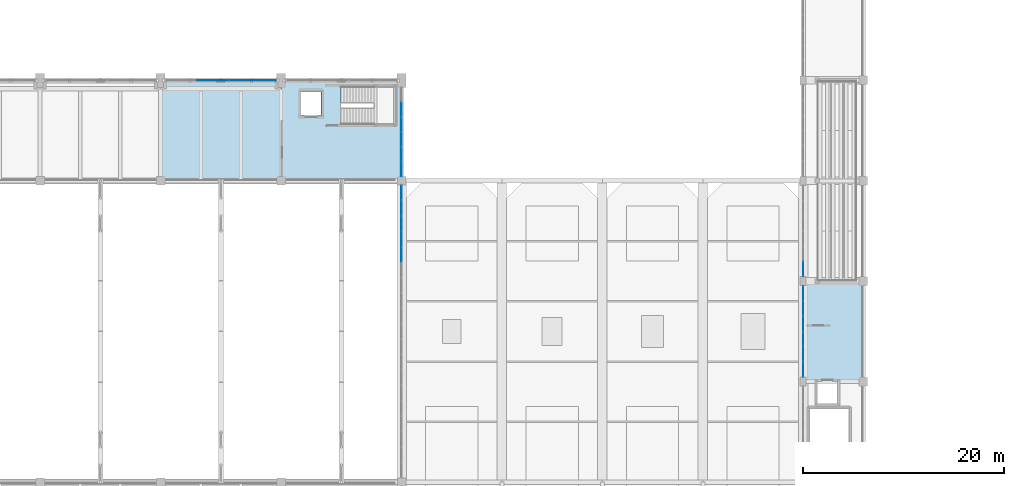
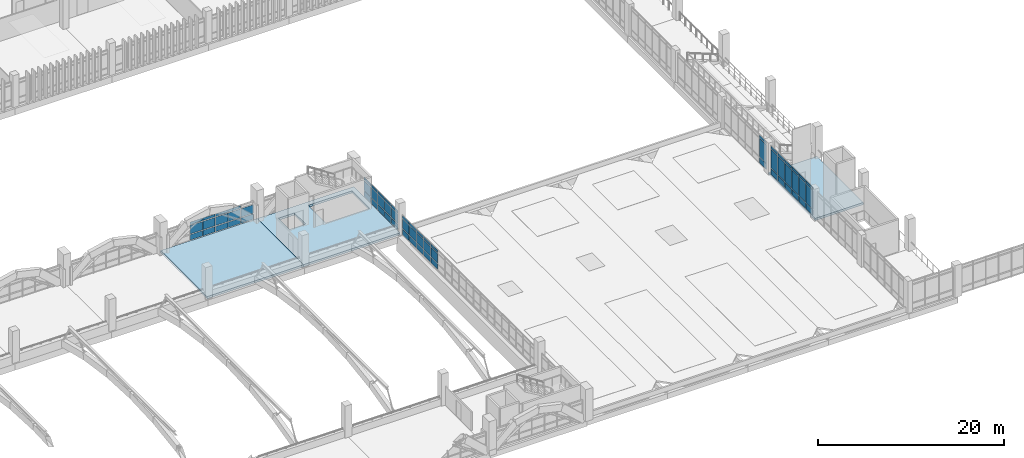
# One storey, part 128 of 161: 65 plates, 3 slabs, 5 elements without a shape of their own.
"""IFC4 building model written with IfcOpenShell, lengths in metres."""

from ifc_helpers import new_model, si_unit, direction, frame, origin, origin_2d, place, context, subcontext, project, spatial, polyline, rectangle, outline, extrude, material, layer, layer_set, type_object, element, aggregate, save


model = new_model("IFC4")

# Units and contexts
model_context = context("Model", 3, precision=1e-05, world=origin(), true_north=direction((0.0, 1.0)))
body_context = subcontext(model_context, "Body", "Model", "MODEL_VIEW")
ifc_project = project(units=[si_unit("LENGTHUNIT", "METRE"), si_unit("AREAUNIT", "SQUARE_METRE"), si_unit("VOLUMEUNIT", "CUBIC_METRE"), si_unit("PLANEANGLEUNIT", "RADIAN"), si_unit("MASSUNIT", "GRAM", prefix="KILO")], contexts=[model_context])

# Site, building, storey
site_placement = place(None, origin())
site = spatial("IfcSite", under=ifc_project, at=site_placement, CompositionType="ELEMENT")
building_placement = place(site_placement, origin())
building = spatial("IfcBuilding", under=site, at=building_placement, Name="Mersad Railyard Sports Hall", CompositionType="ELEMENT")
storey_placement = place(building_placement, frame((0.0, 0.0, 4.800048828125)))
storey = spatial("IfcBuildingStorey", under=building, at=storey_placement, Name="L01", CompositionType="ELEMENT", Elevation=4.800048828125)

# Curtain wall, plates
ifc_material_1 = material(Name="Aluminium 6063-T6", Category="aluminium")
ifc_layer_1 = layer(ifc_material_1, 0.199951171875)
ifc_layer_set_1 = layer_set([ifc_layer_1], Name="Aluminium 6063-T6")
curtain_wall_type_1 = type_object("IfcCurtainWallType", Name="ARC-CW-CW02", PredefinedType="USERDEFINED", material=ifc_layer_set_1)
curtain_wall_1_placement = place(storey_placement, origin())
curtain_wall_1 = element("IfcCurtainWall", 1, at=curtain_wall_1_placement, inside=storey, type_object=curtain_wall_type_1, Name="Curtain wall CW02-0018", ObjectType="CURTAIN WALL", PredefinedType="USERDEFINED")
ifc_material_2 = material(Name="Solar-control glass", Category="glass")
ifc_layer_2 = layer(ifc_material_2, 0.028076171875)
ifc_layer_set_2 = layer_set([ifc_layer_2], Name="Solar-control glass")
plate_type = type_object("IfcPlateType", Name="ARC-CW-PNL01", PredefinedType="CURTAIN_PANEL", material=ifc_layer_set_2)
plate_1_placement = place(storey_placement, frame((71.419921875, 53.5, 0.0849609375), z_axis=(0.0, 0.0, 1.0), x_axis=(1.0, 0.0, 0.0)))
plate_1 = element("IfcPlate", 2, at=plate_1_placement, type_object=plate_type, Name="CW02 Glazed panel 3-1", PredefinedType="CURTAIN_PANEL", context=body_context, shape_type="SweptSolid", body=[
    extrude(rectangle(XDim=1.535888671875, YDim=0.028076171875, at=origin_2d()), origin(), (0.0, 0.0, 1.0), 0.719970703125),
])
plate_2_placement = place(storey_placement, frame((71.419921875, 53.5, 0.89501953125), z_axis=(0.0, 0.0, 1.0), x_axis=(1.0, 0.0, 0.0)))
plate_2 = element("IfcPlate", 3, at=plate_2_placement, type_object=plate_type, Name="CW02 Glazed panel 3-2", PredefinedType="CURTAIN_PANEL", context=body_context, shape_type="SweptSolid", body=[
    extrude(rectangle(XDim=1.535888671875, YDim=0.028076171875, at=origin_2d()), origin(), (0.0, 0.0, 1.0), 1.110107421875),
])
plate_3_placement = place(storey_placement, frame((71.419921875, 53.5, 2.094970703125), z_axis=(0.0, 0.0, 1.0), x_axis=(1.0, 0.0, 0.0)))
plate_3 = element("IfcPlate", 4, at=plate_3_placement, type_object=plate_type, Name="CW02 Glazed panel 3-3", PredefinedType="CURTAIN_PANEL", context=body_context, shape_type="SweptSolid", body=[
    extrude(rectangle(XDim=1.535888671875, YDim=0.028076171875, at=origin_2d()), origin(), (0.0, 0.0, 1.0), 0.35009765625),
])
plate_4_placement = place(storey_placement, frame((73.0, 53.5, 0.0849609375), z_axis=(0.0, 0.0, 1.0), x_axis=(1.0, 0.0, 0.0)))
plate_4 = element("IfcPlate", 5, at=plate_4_placement, type_object=plate_type, Name="CW02 Glazed panel 4-1", PredefinedType="CURTAIN_PANEL", context=body_context, shape_type="SweptSolid", body=[
    extrude(rectangle(XDim=1.535888671875, YDim=0.028076171875, at=origin_2d()), origin(), (0.0, 0.0, 1.0), 0.719970703125),
])
plate_5_placement = place(storey_placement, frame((73.0, 53.5, 0.89501953125), z_axis=(0.0, 0.0, 1.0), x_axis=(1.0, 0.0, 0.0)))
plate_5 = element("IfcPlate", 6, at=plate_5_placement, type_object=plate_type, Name="CW02 Glazed panel 4-2", PredefinedType="CURTAIN_PANEL", context=body_context, shape_type="SweptSolid", body=[
    extrude(rectangle(XDim=1.535888671875, YDim=0.028076171875, at=origin_2d()), origin(), (0.0, 0.0, 1.0), 1.110107421875),
])
plate_6_placement = place(storey_placement, frame((73.0, 53.5, 2.094970703125), z_axis=(0.0, 0.0, 1.0), x_axis=(1.0, 0.0, 0.0)))
plate_6 = element("IfcPlate", 7, at=plate_6_placement, type_object=plate_type, Name="CW02 Glazed panel 4-3", PredefinedType="CURTAIN_PANEL", context=body_context, shape_type="SweptSolid", body=[
    extrude(rectangle(XDim=1.535888671875, YDim=0.028076171875, at=origin_2d()), origin(), (0.0, 0.0, 1.0), 0.35009765625),
])
plate_7_placement = place(storey_placement, frame((74.580078125, 53.5, 0.0849609375), z_axis=(0.0, 0.0, 1.0), x_axis=(1.0, 0.0, 0.0)))
plate_7 = element("IfcPlate", 8, at=plate_7_placement, type_object=plate_type, Name="CW02 Glazed panel 5-1", PredefinedType="CURTAIN_PANEL", context=body_context, shape_type="SweptSolid", body=[
    extrude(rectangle(XDim=1.535888671875, YDim=0.028076171875, at=origin_2d()), origin(), (0.0, 0.0, 1.0), 0.719970703125),
])
plate_8_placement = place(storey_placement, frame((74.580078125, 53.5, 0.89501953125), z_axis=(0.0, 0.0, 1.0), x_axis=(1.0, 0.0, 0.0)))
plate_8 = element("IfcPlate", 9, at=plate_8_placement, type_object=plate_type, Name="CW02 Glazed panel 5-2", PredefinedType="CURTAIN_PANEL", context=body_context, shape_type="SweptSolid", body=[
    extrude(rectangle(XDim=1.535888671875, YDim=0.028076171875, at=origin_2d()), origin(), (0.0, 0.0, 1.0), 1.110107421875),
])
plate_9_placement = place(storey_placement, frame((74.580078125, 53.5, 2.094970703125), z_axis=(0.0, 0.0, 1.0), x_axis=(1.0, 0.0, 0.0)))
plate_9 = element("IfcPlate", 10, at=plate_9_placement, type_object=plate_type, Name="CW02 Glazed panel 5-3", PredefinedType="CURTAIN_PANEL", context=body_context, shape_type="SweptSolid", body=[
    extrude(rectangle(XDim=1.535888671875, YDim=0.028076171875, at=origin_2d()), origin(), (0.0, 0.0, 1.0), 0.35009765625),
])
plate_10_placement = place(storey_placement, frame((76.159912109375, 53.5, 0.0849609375), z_axis=(0.0, 0.0, 1.0), x_axis=(1.0, 0.0, 0.0)))
plate_10 = element("IfcPlate", 11, at=plate_10_placement, type_object=plate_type, Name="CW02 Glazed panel 6-1", PredefinedType="CURTAIN_PANEL", context=body_context, shape_type="SweptSolid", body=[
    extrude(rectangle(XDim=1.535888671875, YDim=0.028076171875, at=origin_2d()), origin(), (0.0, 0.0, 1.0), 0.719970703125),
])
plate_11_placement = place(storey_placement, frame((76.159912109375, 53.5, 0.89501953125), z_axis=(0.0, 0.0, 1.0), x_axis=(1.0, 0.0, 0.0)))
plate_11 = element("IfcPlate", 12, at=plate_11_placement, type_object=plate_type, Name="CW02 Glazed panel 6-2", PredefinedType="CURTAIN_PANEL", context=body_context, shape_type="SweptSolid", body=[
    extrude(rectangle(XDim=1.535888671875, YDim=0.028076171875, at=origin_2d()), origin(), (0.0, 0.0, 1.0), 1.110107421875),
])
plate_12_placement = place(storey_placement, frame((76.159912109375, 53.5, 2.094970703125), z_axis=(0.0, 0.0, 1.0), x_axis=(1.0, 0.0, 0.0)))
plate_12 = element("IfcPlate", 13, at=plate_12_placement, type_object=plate_type, Name="CW02 Glazed panel 6-3", PredefinedType="CURTAIN_PANEL", context=body_context, shape_type="SweptSolid", body=[
    extrude(rectangle(XDim=1.535888671875, YDim=0.028076171875, at=origin_2d()), origin(), (0.0, 0.0, 1.0), 0.35009765625),
])
plate_13_placement = place(storey_placement, frame((77.739990234375, 53.5, 0.0849609375), z_axis=(0.0, 0.0, 1.0), x_axis=(1.0, 0.0, 0.0)))
plate_13 = element("IfcPlate", 14, at=plate_13_placement, type_object=plate_type, Name="CW02 Glazed panel 7-1", PredefinedType="CURTAIN_PANEL", context=body_context, shape_type="SweptSolid", body=[
    extrude(rectangle(XDim=1.535888671875, YDim=0.028076171875, at=origin_2d()), origin(), (0.0, 0.0, 1.0), 0.719970703125),
])
plate_14_placement = place(storey_placement, frame((77.739990234375, 53.5, 0.89501953125), z_axis=(0.0, 0.0, 1.0), x_axis=(1.0, 0.0, 0.0)))
plate_14 = element("IfcPlate", 15, at=plate_14_placement, type_object=plate_type, Name="CW02 Glazed panel 7-2", PredefinedType="CURTAIN_PANEL", context=body_context, shape_type="SweptSolid", body=[
    extrude(rectangle(XDim=1.535888671875, YDim=0.028076171875, at=origin_2d()), origin(), (0.0, 0.0, 1.0), 1.110107421875),
])
aggregate(curtain_wall_1, [plate_1, plate_2, plate_3, plate_4, plate_5, plate_6, plate_7, plate_8, plate_9, plate_10, plate_11, plate_12, plate_13, plate_14])

ifc_layer_3 = layer(ifc_material_1, 0.159912109375)
ifc_layer_set_3 = layer_set([ifc_layer_3], Name="Aluminium 6063-T6")
curtain_wall_type_2 = type_object("IfcCurtainWallType", Name="ARC-CW-CW05", PredefinedType="USERDEFINED", material=ifc_layer_set_3)
curtain_wall_2_placement = place(storey_placement, origin())
curtain_wall_2 = element("IfcCurtainWall", 16, at=curtain_wall_2_placement, inside=storey, type_object=curtain_wall_type_2, Name="Curtain wall CW05-0027", ObjectType="CURTAIN WALL", PredefinedType="USERDEFINED")
plate_15_placement = place(storey_placement, frame((91.0, 42.2890625, 0.0849609375), z_axis=(0.0, 0.0, 1.0), x_axis=(0.0, -1.0, 0.0)))
plate_15 = element("IfcPlate", 17, at=plate_15_placement, type_object=plate_type, Name="CW05 Glazed panel 1-1", PredefinedType="CURTAIN_PANEL", context=body_context, shape_type="SweptSolid", body=[
    extrude(rectangle(XDim=1.488037109375, YDim=0.028076171875, at=origin_2d()), origin(), (0.0, 0.0, 1.0), 0.719970703125),
])
plate_16_placement = place(storey_placement, frame((91.0, 42.2890625, 0.89501953125), z_axis=(0.0, 0.0, 1.0), x_axis=(0.0, -1.0, 0.0)))
plate_16 = element("IfcPlate", 18, at=plate_16_placement, type_object=plate_type, Name="CW05 Glazed panel 1-2", PredefinedType="CURTAIN_PANEL", context=body_context, shape_type="SweptSolid", body=[
    extrude(rectangle(XDim=1.488037109375, YDim=0.028076171875, at=origin_2d()), origin(), (0.0, 0.0, 1.0), 1.260009765625),
])
plate_17_placement = place(storey_placement, frame((91.0, 42.2890625, 2.244873046875), z_axis=(0.0, 0.0, 1.0), x_axis=(0.0, -1.0, 0.0)))
plate_17 = element("IfcPlate", 19, at=plate_17_placement, type_object=plate_type, Name="CW05 Glazed panel 1-3", PredefinedType="CURTAIN_PANEL", context=body_context, shape_type="SweptSolid", body=[
    extrude(rectangle(XDim=1.488037109375, YDim=0.028076171875, at=origin_2d()), origin(), (0.0, 0.0, 1.0), 0.35009765625),
])
plate_18_placement = place(storey_placement, frame((91.0, 40.7568359375, 0.0849609375), z_axis=(0.0, 0.0, 1.0), x_axis=(0.0, -1.0, 0.0)))
plate_18 = element("IfcPlate", 20, at=plate_18_placement, type_object=plate_type, Name="CW05 Glazed panel 2-1", PredefinedType="CURTAIN_PANEL", context=body_context, shape_type="SweptSolid", body=[
    extrude(rectangle(XDim=1.488037109375, YDim=0.028076171875, at=origin_2d()), origin(), (0.0, 0.0, 1.0), 0.719970703125),
])
plate_19_placement = place(storey_placement, frame((91.0, 40.7568359375, 0.89501953125), z_axis=(0.0, 0.0, 1.0), x_axis=(0.0, -1.0, 0.0)))
plate_19 = element("IfcPlate", 21, at=plate_19_placement, type_object=plate_type, Name="CW05 Glazed panel 2-2", PredefinedType="CURTAIN_PANEL", context=body_context, shape_type="SweptSolid", body=[
    extrude(rectangle(XDim=1.488037109375, YDim=0.028076171875, at=origin_2d()), origin(), (0.0, 0.0, 1.0), 1.260009765625),
])
plate_20_placement = place(storey_placement, frame((91.0, 40.7568359375, 2.244873046875), z_axis=(0.0, 0.0, 1.0), x_axis=(0.0, -1.0, 0.0)))
plate_20 = element("IfcPlate", 22, at=plate_20_placement, type_object=plate_type, Name="CW05 Glazed panel 2-3", PredefinedType="CURTAIN_PANEL", context=body_context, shape_type="SweptSolid", body=[
    extrude(rectangle(XDim=1.488037109375, YDim=0.028076171875, at=origin_2d()), origin(), (0.0, 0.0, 1.0), 0.35009765625),
])
plate_21_placement = place(storey_placement, frame((91.0, 39.224853515625, 0.0849609375), z_axis=(0.0, 0.0, 1.0), x_axis=(0.0, -1.0, 0.0)))
plate_21 = element("IfcPlate", 23, at=plate_21_placement, type_object=plate_type, Name="CW05 Glazed panel 3-1", PredefinedType="CURTAIN_PANEL", context=body_context, shape_type="SweptSolid", body=[
    extrude(rectangle(XDim=1.488037109375, YDim=0.028076171875, at=origin_2d()), origin(), (0.0, 0.0, 1.0), 0.719970703125),
])
plate_22_placement = place(storey_placement, frame((91.0, 39.224853515625, 0.89501953125), z_axis=(0.0, 0.0, 1.0), x_axis=(0.0, -1.0, 0.0)))
plate_22 = element("IfcPlate", 24, at=plate_22_placement, type_object=plate_type, Name="CW05 Glazed panel 3-2", PredefinedType="CURTAIN_PANEL", context=body_context, shape_type="SweptSolid", body=[
    extrude(rectangle(XDim=1.488037109375, YDim=0.028076171875, at=origin_2d()), origin(), (0.0, 0.0, 1.0), 1.260009765625),
])
plate_23_placement = place(storey_placement, frame((91.0, 39.224853515625, 2.244873046875), z_axis=(0.0, 0.0, 1.0), x_axis=(0.0, -1.0, 0.0)))
plate_23 = element("IfcPlate", 25, at=plate_23_placement, type_object=plate_type, Name="CW05 Glazed panel 3-3", PredefinedType="CURTAIN_PANEL", context=body_context, shape_type="SweptSolid", body=[
    extrude(rectangle(XDim=1.488037109375, YDim=0.028076171875, at=origin_2d()), origin(), (0.0, 0.0, 1.0), 0.35009765625),
])
plate_24_placement = place(storey_placement, frame((91.0, 37.692626953125, 0.0849609375), z_axis=(0.0, 0.0, 1.0), x_axis=(0.0, -1.0, 0.0)))
plate_24 = element("IfcPlate", 26, at=plate_24_placement, type_object=plate_type, Name="CW05 Glazed panel 4-1", PredefinedType="CURTAIN_PANEL", context=body_context, shape_type="SweptSolid", body=[
    extrude(rectangle(XDim=1.488037109375, YDim=0.028076171875, at=origin_2d()), origin(), (0.0, 0.0, 1.0), 0.719970703125),
])
plate_25_placement = place(storey_placement, frame((91.0, 37.692626953125, 0.89501953125), z_axis=(0.0, 0.0, 1.0), x_axis=(0.0, -1.0, 0.0)))
plate_25 = element("IfcPlate", 27, at=plate_25_placement, type_object=plate_type, Name="CW05 Glazed panel 4-2", PredefinedType="CURTAIN_PANEL", context=body_context, shape_type="SweptSolid", body=[
    extrude(rectangle(XDim=1.488037109375, YDim=0.028076171875, at=origin_2d()), origin(), (0.0, 0.0, 1.0), 1.260009765625),
])
plate_26_placement = place(storey_placement, frame((91.0, 37.692626953125, 2.244873046875), z_axis=(0.0, 0.0, 1.0), x_axis=(0.0, -1.0, 0.0)))
plate_26 = element("IfcPlate", 28, at=plate_26_placement, type_object=plate_type, Name="CW05 Glazed panel 4-3", PredefinedType="CURTAIN_PANEL", context=body_context, shape_type="SweptSolid", body=[
    extrude(rectangle(XDim=1.488037109375, YDim=0.028076171875, at=origin_2d()), origin(), (0.0, 0.0, 1.0), 0.35009765625),
])
plate_27_placement = place(storey_placement, frame((91.0, 36.16064453125, 0.0849609375), z_axis=(0.0, 0.0, 1.0), x_axis=(0.0, -1.0, 0.0)))
plate_27 = element("IfcPlate", 29, at=plate_27_placement, type_object=plate_type, Name="CW05 Glazed panel 5-1", PredefinedType="CURTAIN_PANEL", context=body_context, shape_type="SweptSolid", body=[
    extrude(rectangle(XDim=1.488037109375, YDim=0.028076171875, at=origin_2d()), origin(), (0.0, 0.0, 1.0), 0.719970703125),
])
plate_28_placement = place(storey_placement, frame((91.0, 36.16064453125, 0.89501953125), z_axis=(0.0, 0.0, 1.0), x_axis=(0.0, -1.0, 0.0)))
plate_28 = element("IfcPlate", 30, at=plate_28_placement, type_object=plate_type, Name="CW05 Glazed panel 5-2", PredefinedType="CURTAIN_PANEL", context=body_context, shape_type="SweptSolid", body=[
    extrude(rectangle(XDim=1.488037109375, YDim=0.028076171875, at=origin_2d()), origin(), (0.0, 0.0, 1.0), 1.260009765625),
])
plate_29_placement = place(storey_placement, frame((91.0, 36.16064453125, 2.244873046875), z_axis=(0.0, 0.0, 1.0), x_axis=(0.0, -1.0, 0.0)))
plate_29 = element("IfcPlate", 31, at=plate_29_placement, type_object=plate_type, Name="CW05 Glazed panel 5-3", PredefinedType="CURTAIN_PANEL", context=body_context, shape_type="SweptSolid", body=[
    extrude(rectangle(XDim=1.488037109375, YDim=0.028076171875, at=origin_2d()), origin(), (0.0, 0.0, 1.0), 0.35009765625),
])
aggregate(curtain_wall_2, [plate_15, plate_16, plate_17, plate_18, plate_19, plate_20, plate_21, plate_22, plate_23, plate_24, plate_25, plate_26, plate_27, plate_28, plate_29])

ifc_layer_4 = layer(ifc_material_1, 0.159912109375)
ifc_layer_set_4 = layer_set([ifc_layer_4], Name="Aluminium 6063-T6")
curtain_wall_type_3 = type_object("IfcCurtainWallType", Name="ARC-CW-CW03", PredefinedType="USERDEFINED", material=ifc_layer_set_4)
curtain_wall_3_placement = place(storey_placement, origin())
curtain_wall_3 = element("IfcCurtainWall", 32, at=curtain_wall_3_placement, inside=storey, type_object=curtain_wall_type_3, Name="Curtain wall CW03-0028", ObjectType="CURTAIN WALL", PredefinedType="USERDEFINED")
plate_30_placement = place(storey_placement, frame((91.0, 50.5712890625, 0.0849609375), z_axis=(0.0, 0.0, 1.0), x_axis=(0.0, -1.0, 0.0)))
plate_30 = element("IfcPlate", 33, at=plate_30_placement, type_object=plate_type, Name="CW03 Glazed panel 2-1", PredefinedType="CURTAIN_PANEL", context=body_context, shape_type="SweptSolid", body=[
    extrude(rectangle(XDim=1.428466796875, YDim=0.028076171875, at=origin_2d()), origin(), (0.0, 0.0, 1.0), 0.719970703125),
])
plate_31_placement = place(storey_placement, frame((91.0, 50.5712890625, 0.89501953125), z_axis=(0.0, 0.0, 1.0), x_axis=(0.0, -1.0, 0.0)))
plate_31 = element("IfcPlate", 34, at=plate_31_placement, type_object=plate_type, Name="CW03 Glazed panel 2-2", PredefinedType="CURTAIN_PANEL", context=body_context, shape_type="SweptSolid", body=[
    extrude(rectangle(XDim=1.428466796875, YDim=0.028076171875, at=origin_2d()), origin(), (0.0, 0.0, 1.0), 1.260009765625),
])
plate_32_placement = place(storey_placement, frame((91.0, 50.5712890625, 2.244873046875), z_axis=(0.0, 0.0, 1.0), x_axis=(0.0, -1.0, 0.0)))
plate_32 = element("IfcPlate", 35, at=plate_32_placement, type_object=plate_type, Name="CW03 Glazed panel 2-3", PredefinedType="CURTAIN_PANEL", context=body_context, shape_type="SweptSolid", body=[
    extrude(rectangle(XDim=1.428466796875, YDim=0.028076171875, at=origin_2d()), origin(), (0.0, 0.0, 1.0), 0.35009765625),
])
plate_33_placement = place(storey_placement, frame((91.0, 49.0986328125, 0.0849609375), z_axis=(0.0, 0.0, 1.0), x_axis=(0.0, -1.0, 0.0)))
plate_33 = element("IfcPlate", 36, at=plate_33_placement, type_object=plate_type, Name="CW03 Glazed panel 3-1", PredefinedType="CURTAIN_PANEL", context=body_context, shape_type="SweptSolid", body=[
    extrude(rectangle(XDim=1.428466796875, YDim=0.028076171875, at=origin_2d()), origin(), (0.0, 0.0, 1.0), 0.719970703125),
])
plate_34_placement = place(storey_placement, frame((91.0, 49.0986328125, 0.89501953125), z_axis=(0.0, 0.0, 1.0), x_axis=(0.0, -1.0, 0.0)))
plate_34 = element("IfcPlate", 37, at=plate_34_placement, type_object=plate_type, Name="CW03 Glazed panel 3-2", PredefinedType="CURTAIN_PANEL", context=body_context, shape_type="SweptSolid", body=[
    extrude(rectangle(XDim=1.428466796875, YDim=0.028076171875, at=origin_2d()), origin(), (0.0, 0.0, 1.0), 1.260009765625),
])
plate_35_placement = place(storey_placement, frame((91.0, 49.0986328125, 2.244873046875), z_axis=(0.0, 0.0, 1.0), x_axis=(0.0, -1.0, 0.0)))
plate_35 = element("IfcPlate", 38, at=plate_35_placement, type_object=plate_type, Name="CW03 Glazed panel 3-3", PredefinedType="CURTAIN_PANEL", context=body_context, shape_type="SweptSolid", body=[
    extrude(rectangle(XDim=1.428466796875, YDim=0.028076171875, at=origin_2d()), origin(), (0.0, 0.0, 1.0), 0.35009765625),
])
plate_36_placement = place(storey_placement, frame((91.0, 47.626220703125, 0.0849609375), z_axis=(0.0, 0.0, 1.0), x_axis=(0.0, -1.0, 0.0)))
plate_36 = element("IfcPlate", 39, at=plate_36_placement, type_object=plate_type, Name="CW03 Glazed panel 4-1", PredefinedType="CURTAIN_PANEL", context=body_context, shape_type="SweptSolid", body=[
    extrude(rectangle(XDim=1.428466796875, YDim=0.028076171875, at=origin_2d()), origin(), (0.0, 0.0, 1.0), 0.719970703125),
])
plate_37_placement = place(storey_placement, frame((91.0, 47.626220703125, 0.89501953125), z_axis=(0.0, 0.0, 1.0), x_axis=(0.0, -1.0, 0.0)))
plate_37 = element("IfcPlate", 40, at=plate_37_placement, type_object=plate_type, Name="CW03 Glazed panel 4-2", PredefinedType="CURTAIN_PANEL", context=body_context, shape_type="SweptSolid", body=[
    extrude(rectangle(XDim=1.428466796875, YDim=0.028076171875, at=origin_2d()), origin(), (0.0, 0.0, 1.0), 1.260009765625),
])
plate_38_placement = place(storey_placement, frame((91.0, 47.626220703125, 2.244873046875), z_axis=(0.0, 0.0, 1.0), x_axis=(0.0, -1.0, 0.0)))
plate_38 = element("IfcPlate", 41, at=plate_38_placement, type_object=plate_type, Name="CW03 Glazed panel 4-3", PredefinedType="CURTAIN_PANEL", context=body_context, shape_type="SweptSolid", body=[
    extrude(rectangle(XDim=1.428466796875, YDim=0.028076171875, at=origin_2d()), origin(), (0.0, 0.0, 1.0), 0.35009765625),
])
plate_39_placement = place(storey_placement, frame((91.0, 46.15380859375, 0.0849609375), z_axis=(0.0, 0.0, 1.0), x_axis=(0.0, -1.0, 0.0)))
plate_39 = element("IfcPlate", 42, at=plate_39_placement, type_object=plate_type, Name="CW03 Glazed panel 5-1", PredefinedType="CURTAIN_PANEL", context=body_context, shape_type="SweptSolid", body=[
    extrude(rectangle(XDim=1.428466796875, YDim=0.028076171875, at=origin_2d()), origin(), (0.0, 0.0, 1.0), 0.719970703125),
])
plate_40_placement = place(storey_placement, frame((91.0, 46.15380859375, 0.89501953125), z_axis=(0.0, 0.0, 1.0), x_axis=(0.0, -1.0, 0.0)))
plate_40 = element("IfcPlate", 43, at=plate_40_placement, type_object=plate_type, Name="CW03 Glazed panel 5-2", PredefinedType="CURTAIN_PANEL", context=body_context, shape_type="SweptSolid", body=[
    extrude(rectangle(XDim=1.428466796875, YDim=0.028076171875, at=origin_2d()), origin(), (0.0, 0.0, 1.0), 1.260009765625),
])
plate_41_placement = place(storey_placement, frame((91.0, 46.15380859375, 2.244873046875), z_axis=(0.0, 0.0, 1.0), x_axis=(0.0, -1.0, 0.0)))
plate_41 = element("IfcPlate", 44, at=plate_41_placement, type_object=plate_type, Name="CW03 Glazed panel 5-3", PredefinedType="CURTAIN_PANEL", context=body_context, shape_type="SweptSolid", body=[
    extrude(rectangle(XDim=1.428466796875, YDim=0.028076171875, at=origin_2d()), origin(), (0.0, 0.0, 1.0), 0.35009765625),
])
plate_42_placement = place(storey_placement, frame((91.0, 44.68115234375, 0.0849609375), z_axis=(0.0, 0.0, 1.0), x_axis=(0.0, -1.0, 0.0)))
plate_42 = element("IfcPlate", 45, at=plate_42_placement, type_object=plate_type, Name="CW03 Glazed panel 6-1", PredefinedType="CURTAIN_PANEL", context=body_context, shape_type="SweptSolid", body=[
    extrude(rectangle(XDim=1.428466796875, YDim=0.028076171875, at=origin_2d()), origin(), (0.0, 0.0, 1.0), 0.719970703125),
])
plate_43_placement = place(storey_placement, frame((91.0, 44.68115234375, 0.89501953125), z_axis=(0.0, 0.0, 1.0), x_axis=(0.0, -1.0, 0.0)))
plate_43 = element("IfcPlate", 46, at=plate_43_placement, type_object=plate_type, Name="CW03 Glazed panel 6-2", PredefinedType="CURTAIN_PANEL", context=body_context, shape_type="SweptSolid", body=[
    extrude(rectangle(XDim=1.428466796875, YDim=0.028076171875, at=origin_2d()), origin(), (0.0, 0.0, 1.0), 1.260009765625),
])
plate_44_placement = place(storey_placement, frame((91.0, 44.68115234375, 2.244873046875), z_axis=(0.0, 0.0, 1.0), x_axis=(0.0, -1.0, 0.0)))
plate_44 = element("IfcPlate", 47, at=plate_44_placement, type_object=plate_type, Name="CW03 Glazed panel 6-3", PredefinedType="CURTAIN_PANEL", context=body_context, shape_type="SweptSolid", body=[
    extrude(rectangle(XDim=1.428466796875, YDim=0.028076171875, at=origin_2d()), origin(), (0.0, 0.0, 1.0), 0.35009765625),
])
aggregate(curtain_wall_3, [plate_30, plate_31, plate_32, plate_33, plate_34, plate_35, plate_36, plate_37, plate_38, plate_39, plate_40, plate_41, plate_42, plate_43, plate_44])

ifc_layer_5 = layer(ifc_material_1, 0.159912109375)
ifc_layer_set_5 = layer_set([ifc_layer_5], Name="Aluminium 6063-T6")
curtain_wall_type_4 = type_object("IfcCurtainWallType", Name="ARC-CW-CW26", PredefinedType="USERDEFINED", material=ifc_layer_set_5)
curtain_wall_4_placement = place(storey_placement, origin())
curtain_wall_4 = element("IfcCurtainWall", 48, at=curtain_wall_4_placement, inside=storey, type_object=curtain_wall_type_4, Name="Curtain wall CW26-0068", ObjectType="CURTAIN WALL", PredefinedType="USERDEFINED")
plate_45_placement = place(storey_placement, frame((131.0, 24.72509765625, 0.0849609375), z_axis=(0.0, 0.0, 1.0), x_axis=(0.0, 1.0, 0.0)))
plate_45 = element("IfcPlate", 49, at=plate_45_placement, type_object=plate_type, Name="CW26 Glazed panel 1-1", PredefinedType="CURTAIN_PANEL", context=body_context, shape_type="SweptSolid", body=[
    extrude(rectangle(XDim=1.466064453125, YDim=0.028076171875, at=origin_2d()), origin(), (0.0, 0.0, 1.0), 0.719970703125),
])
plate_46_placement = place(storey_placement, frame((131.0, 24.72509765625, 0.89501953125), z_axis=(0.0, 0.0, 1.0), x_axis=(0.0, 1.0, 0.0)))
plate_46 = element("IfcPlate", 50, at=plate_46_placement, type_object=plate_type, Name="CW26 Glazed panel 1-2", PredefinedType="CURTAIN_PANEL", context=body_context, shape_type="SweptSolid", body=[
    extrude(rectangle(XDim=1.466064453125, YDim=0.028076171875, at=origin_2d()), origin(), (0.0, 0.0, 1.0), 2.469970703125),
])
plate_47_placement = place(storey_placement, frame((131.0, 24.72509765625, 3.454833984375), z_axis=(0.0, 0.0, 1.0), x_axis=(0.0, 1.0, 0.0)))
plate_47 = element("IfcPlate", 51, at=plate_47_placement, type_object=plate_type, Name="CW26 Glazed panel 1-3", PredefinedType="CURTAIN_PANEL", context=body_context, shape_type="SweptSolid", body=[
    extrude(rectangle(XDim=1.466064453125, YDim=0.028076171875, at=origin_2d()), origin(), (0.0, 0.0, 1.0), 0.35009765625),
])
plate_48_placement = place(storey_placement, frame((131.0, 26.235107421875, 0.0849609375), z_axis=(0.0, 0.0, 1.0), x_axis=(0.0, 1.0, 0.0)))
plate_48 = element("IfcPlate", 52, at=plate_48_placement, type_object=plate_type, Name="CW26 Glazed panel 2-1", PredefinedType="CURTAIN_PANEL", context=body_context, shape_type="SweptSolid", body=[
    extrude(rectangle(XDim=1.466064453125, YDim=0.028076171875, at=origin_2d()), origin(), (0.0, 0.0, 1.0), 0.719970703125),
])
plate_49_placement = place(storey_placement, frame((131.0, 26.235107421875, 0.89501953125), z_axis=(0.0, 0.0, 1.0), x_axis=(0.0, 1.0, 0.0)))
plate_49 = element("IfcPlate", 53, at=plate_49_placement, type_object=plate_type, Name="CW26 Glazed panel 2-2", PredefinedType="CURTAIN_PANEL", context=body_context, shape_type="SweptSolid", body=[
    extrude(rectangle(XDim=1.466064453125, YDim=0.028076171875, at=origin_2d()), origin(), (0.0, 0.0, 1.0), 2.469970703125),
])
plate_50_placement = place(storey_placement, frame((131.0, 26.235107421875, 3.454833984375), z_axis=(0.0, 0.0, 1.0), x_axis=(0.0, 1.0, 0.0)))
plate_50 = element("IfcPlate", 54, at=plate_50_placement, type_object=plate_type, Name="CW26 Glazed panel 2-3", PredefinedType="CURTAIN_PANEL", context=body_context, shape_type="SweptSolid", body=[
    extrude(rectangle(XDim=1.466064453125, YDim=0.028076171875, at=origin_2d()), origin(), (0.0, 0.0, 1.0), 0.35009765625),
])
plate_51_placement = place(storey_placement, frame((131.0, 27.7451171875, 0.0849609375), z_axis=(0.0, 0.0, 1.0), x_axis=(0.0, 1.0, 0.0)))
plate_51 = element("IfcPlate", 55, at=plate_51_placement, type_object=plate_type, Name="CW26 Glazed panel 3-1", PredefinedType="CURTAIN_PANEL", context=body_context, shape_type="SweptSolid", body=[
    extrude(rectangle(XDim=1.466064453125, YDim=0.028076171875, at=origin_2d()), origin(), (0.0, 0.0, 1.0), 0.719970703125),
])
plate_52_placement = place(storey_placement, frame((131.0, 27.7451171875, 0.89501953125), z_axis=(0.0, 0.0, 1.0), x_axis=(0.0, 1.0, 0.0)))
plate_52 = element("IfcPlate", 56, at=plate_52_placement, type_object=plate_type, Name="CW26 Glazed panel 3-2", PredefinedType="CURTAIN_PANEL", context=body_context, shape_type="SweptSolid", body=[
    extrude(rectangle(XDim=1.466064453125, YDim=0.028076171875, at=origin_2d()), origin(), (0.0, 0.0, 1.0), 2.469970703125),
])
plate_53_placement = place(storey_placement, frame((131.0, 27.7451171875, 3.454833984375), z_axis=(0.0, 0.0, 1.0), x_axis=(0.0, 1.0, 0.0)))
plate_53 = element("IfcPlate", 57, at=plate_53_placement, type_object=plate_type, Name="CW26 Glazed panel 3-3", PredefinedType="CURTAIN_PANEL", context=body_context, shape_type="SweptSolid", body=[
    extrude(rectangle(XDim=1.466064453125, YDim=0.028076171875, at=origin_2d()), origin(), (0.0, 0.0, 1.0), 0.35009765625),
])
plate_54_placement = place(storey_placement, frame((131.0, 29.2548828125, 0.0849609375), z_axis=(0.0, 0.0, 1.0), x_axis=(0.0, 1.0, 0.0)))
plate_54 = element("IfcPlate", 58, at=plate_54_placement, type_object=plate_type, Name="CW26 Glazed panel 4-1", PredefinedType="CURTAIN_PANEL", context=body_context, shape_type="SweptSolid", body=[
    extrude(rectangle(XDim=1.466064453125, YDim=0.028076171875, at=origin_2d()), origin(), (0.0, 0.0, 1.0), 0.719970703125),
])
plate_55_placement = place(storey_placement, frame((131.0, 29.2548828125, 0.89501953125), z_axis=(0.0, 0.0, 1.0), x_axis=(0.0, 1.0, 0.0)))
plate_55 = element("IfcPlate", 59, at=plate_55_placement, type_object=plate_type, Name="CW26 Glazed panel 4-2", PredefinedType="CURTAIN_PANEL", context=body_context, shape_type="SweptSolid", body=[
    extrude(rectangle(XDim=1.466064453125, YDim=0.028076171875, at=origin_2d()), origin(), (0.0, 0.0, 1.0), 2.469970703125),
])
plate_56_placement = place(storey_placement, frame((131.0, 29.2548828125, 3.454833984375), z_axis=(0.0, 0.0, 1.0), x_axis=(0.0, 1.0, 0.0)))
plate_56 = element("IfcPlate", 60, at=plate_56_placement, type_object=plate_type, Name="CW26 Glazed panel 4-3", PredefinedType="CURTAIN_PANEL", context=body_context, shape_type="SweptSolid", body=[
    extrude(rectangle(XDim=1.466064453125, YDim=0.028076171875, at=origin_2d()), origin(), (0.0, 0.0, 1.0), 0.35009765625),
])
plate_57_placement = place(storey_placement, frame((131.0, 30.764892578125, 0.0849609375), z_axis=(0.0, 0.0, 1.0), x_axis=(0.0, 1.0, 0.0)))
plate_57 = element("IfcPlate", 61, at=plate_57_placement, type_object=plate_type, Name="CW26 Glazed panel 5-1", PredefinedType="CURTAIN_PANEL", context=body_context, shape_type="SweptSolid", body=[
    extrude(rectangle(XDim=1.466064453125, YDim=0.028076171875, at=origin_2d()), origin(), (0.0, 0.0, 1.0), 0.719970703125),
])
plate_58_placement = place(storey_placement, frame((131.0, 30.764892578125, 0.89501953125), z_axis=(0.0, 0.0, 1.0), x_axis=(0.0, 1.0, 0.0)))
plate_58 = element("IfcPlate", 62, at=plate_58_placement, type_object=plate_type, Name="CW26 Glazed panel 5-2", PredefinedType="CURTAIN_PANEL", context=body_context, shape_type="SweptSolid", body=[
    extrude(rectangle(XDim=1.466064453125, YDim=0.028076171875, at=origin_2d()), origin(), (0.0, 0.0, 1.0), 2.469970703125),
])
plate_59_placement = place(storey_placement, frame((131.0, 30.764892578125, 3.454833984375), z_axis=(0.0, 0.0, 1.0), x_axis=(0.0, 1.0, 0.0)))
plate_59 = element("IfcPlate", 63, at=plate_59_placement, type_object=plate_type, Name="CW26 Glazed panel 5-3", PredefinedType="CURTAIN_PANEL", context=body_context, shape_type="SweptSolid", body=[
    extrude(rectangle(XDim=1.466064453125, YDim=0.028076171875, at=origin_2d()), origin(), (0.0, 0.0, 1.0), 0.35009765625),
])
plate_60_placement = place(storey_placement, frame((131.0, 32.27490234375, 0.0849609375), z_axis=(0.0, 0.0, 1.0), x_axis=(0.0, 1.0, 0.0)))
plate_60 = element("IfcPlate", 64, at=plate_60_placement, type_object=plate_type, Name="CW26 Glazed panel 6-1", PredefinedType="CURTAIN_PANEL", context=body_context, shape_type="SweptSolid", body=[
    extrude(rectangle(XDim=1.466064453125, YDim=0.028076171875, at=origin_2d()), origin(), (0.0, 0.0, 1.0), 0.719970703125),
])
plate_61_placement = place(storey_placement, frame((131.0, 32.27490234375, 0.89501953125), z_axis=(0.0, 0.0, 1.0), x_axis=(0.0, 1.0, 0.0)))
plate_61 = element("IfcPlate", 65, at=plate_61_placement, type_object=plate_type, Name="CW26 Glazed panel 6-2", PredefinedType="CURTAIN_PANEL", context=body_context, shape_type="SweptSolid", body=[
    extrude(rectangle(XDim=1.466064453125, YDim=0.028076171875, at=origin_2d()), origin(), (0.0, 0.0, 1.0), 2.469970703125),
])
plate_62_placement = place(storey_placement, frame((131.0, 32.27490234375, 3.454833984375), z_axis=(0.0, 0.0, 1.0), x_axis=(0.0, 1.0, 0.0)))
plate_62 = element("IfcPlate", 66, at=plate_62_placement, type_object=plate_type, Name="CW26 Glazed panel 6-3", PredefinedType="CURTAIN_PANEL", context=body_context, shape_type="SweptSolid", body=[
    extrude(rectangle(XDim=1.466064453125, YDim=0.028076171875, at=origin_2d()), origin(), (0.0, 0.0, 1.0), 0.35009765625),
])
aggregate(curtain_wall_4, [plate_45, plate_46, plate_47, plate_48, plate_49, plate_50, plate_51, plate_52, plate_53, plate_54, plate_55, plate_56, plate_57, plate_58, plate_59, plate_60, plate_61, plate_62])

ifc_layer_6 = layer(ifc_material_1, 0.159912109375)
ifc_layer_set_6 = layer_set([ifc_layer_6], Name="Aluminium 6063-T6")
curtain_wall_type_5 = type_object("IfcCurtainWallType", Name="ARC-CW-CW14", PredefinedType="USERDEFINED", material=ifc_layer_set_6)
curtain_wall_5_placement = place(storey_placement, origin())
curtain_wall_5 = element("IfcCurtainWall", 67, at=curtain_wall_5_placement, inside=storey, type_object=curtain_wall_type_5, Name="Curtain wall CW14-0070", ObjectType="CURTAIN WALL", PredefinedType="USERDEFINED")
plate_63_placement = place(storey_placement, frame((131.0, 34.72509765625, 0.0849609375), z_axis=(0.0, 0.0, 1.0), x_axis=(0.0, 1.0, 0.0)))
plate_63 = element("IfcPlate", 68, at=plate_63_placement, type_object=plate_type, Name="CW14 Glazed panel 1-1", PredefinedType="CURTAIN_PANEL", context=body_context, shape_type="SweptSolid", body=[
    extrude(rectangle(XDim=1.466064453125, YDim=0.028076171875, at=origin_2d()), origin(), (0.0, 0.0, 1.0), 0.719970703125),
])
plate_64_placement = place(storey_placement, frame((131.0, 34.72509765625, 0.89501953125), z_axis=(0.0, 0.0, 1.0), x_axis=(0.0, 1.0, 0.0)))
plate_64 = element("IfcPlate", 69, at=plate_64_placement, type_object=plate_type, Name="CW14 Glazed panel 1-2", PredefinedType="CURTAIN_PANEL", context=body_context, shape_type="SweptSolid", body=[
    extrude(rectangle(XDim=1.466064453125, YDim=0.028076171875, at=origin_2d()), origin(), (0.0, 0.0, 1.0), 2.409912109375),
])
plate_65_placement = place(storey_placement, frame((131.0, 34.72509765625, 3.39501953125), z_axis=(0.0, 0.0, 1.0), x_axis=(0.0, 1.0, 0.0)))
plate_65 = element("IfcPlate", 70, at=plate_65_placement, type_object=plate_type, Name="CW14 Glazed panel 1-3", PredefinedType="CURTAIN_PANEL", context=body_context, shape_type="SweptSolid", body=[
    extrude(rectangle(XDim=1.466064453125, YDim=0.028076171875, at=origin_2d()), origin(), (0.0, 0.0, 1.0), 0.35009765625),
])
aggregate(curtain_wall_5, [plate_63, plate_64, plate_65])

# Slabs
ifc_material_3 = material(Name="Concrete C40/50", Category="concrete")
ifc_layer_7 = layer(ifc_material_3, 0.280029296875)
ifc_layer_set_7 = layer_set([ifc_layer_7], Name="Concrete C40/50")
slab_type = type_object("IfcSlabType", Name="STR-SL-FL02", PredefinedType="FLOOR", material=ifc_layer_set_7)
slab_1_placement = place(storey_placement, frame((0.0, 0.0, -0.280029296875)))
element("IfcSlab", 71, at=slab_1_placement, inside=storey, type_object=slab_type, Name="Slab SL02-0048", PredefinedType="FLOOR", context=body_context, shape_type="SweptSolid", body=[
    extrude(outline(polyline([(67.0, 43.5), (79.0, 43.5), (79.0, 53.5), (67.0, 53.5), (67.0, 43.5)])), origin(), (0.0, 0.0, 1.0), 0.280029296875),
])
slab_2_placement = place(storey_placement, frame((0.0, 0.0, -0.280029296875)))
element("IfcSlab", 72, at=slab_2_placement, inside=storey, type_object=slab_type, Name="Slab SL02-0050", PredefinedType="FLOOR", context=body_context, shape_type="SweptSolid", body=[
    extrude(outline(polyline([(79.0, 43.5), (91.0, 43.5), (91.0, 53.5), (79.0, 53.5), (79.0, 43.5)]), holes=[polyline([(84.989990234375, 49.10009765625), (90.449951171875, 49.10009765625), (90.449951171875, 52.89990234375), (84.989990234375, 52.89990234375), (84.989990234375, 49.10009765625)]), polyline([(81.0, 50.0), (83.0, 50.0), (83.0, 52.39990234375), (81.0, 52.39990234375), (81.0, 50.0)])]), origin(), (0.0, 0.0, 1.0), 0.280029296875),
])
slab_3_placement = place(storey_placement, frame((0.0, 0.0, -0.280029296875)))
element("IfcSlab", 73, at=slab_3_placement, inside=storey, type_object=slab_type, Name="Slab SL02-0059", PredefinedType="FLOOR", context=body_context, shape_type="SweptSolid", body=[
    extrude(outline(polyline([(131.0, 23.5), (137.0, 23.5), (137.0, 33.5), (131.0, 33.5), (131.0, 23.5)])), origin(), (0.0, 0.0, 1.0), 0.280029296875),
])

save(model, "model.ifc")
